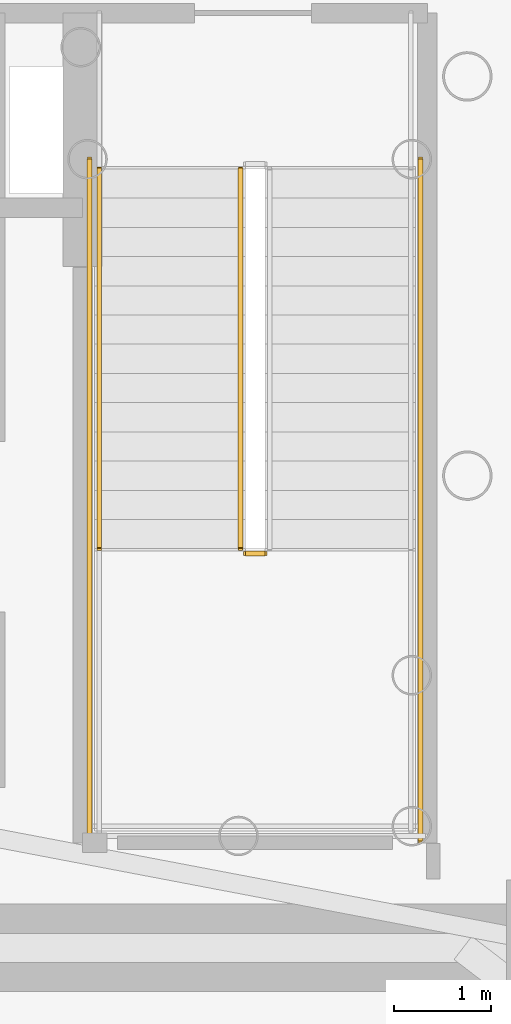
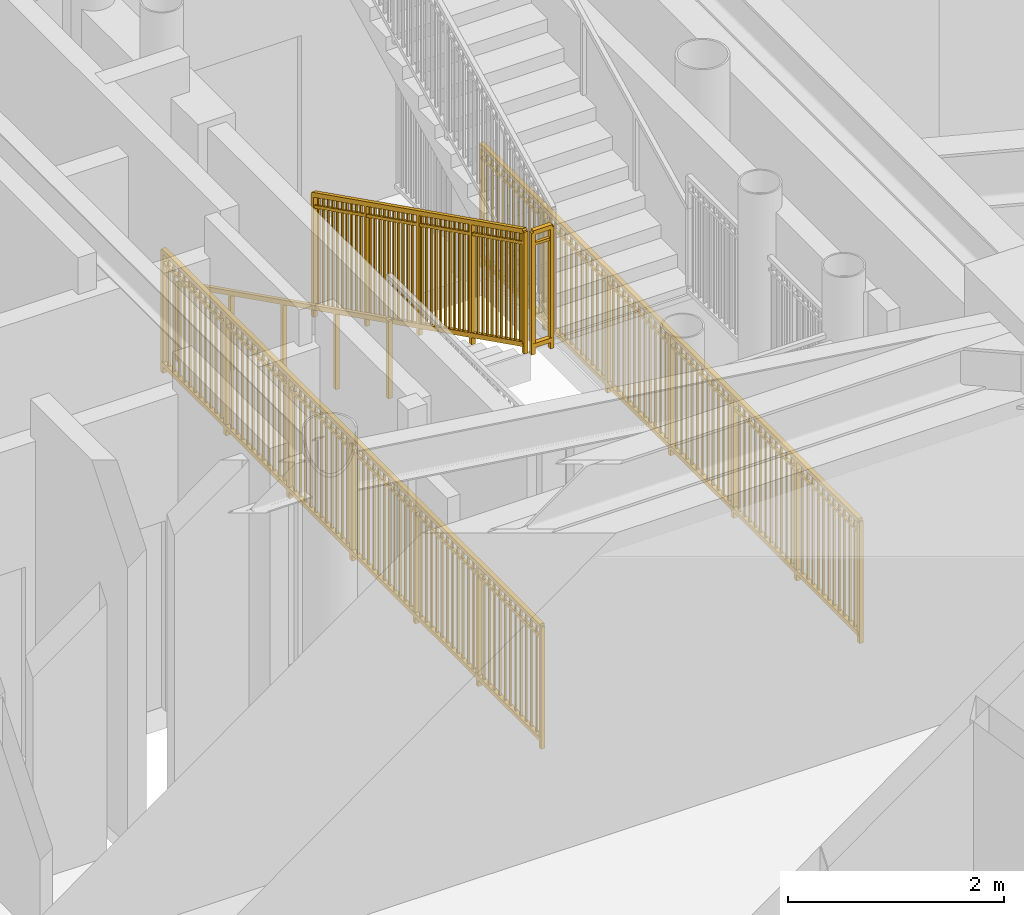
# One storey, part 22 of 24: 5 railings.
"""IFC4 building model written with IfcOpenShell, lengths in metres."""

from ifc_helpers import new_model, si_unit, direction, frame, origin, origin_2d, place, context, subcontext, project, spatial, rectangle, extrude, source, transform, mapped, material, type_object, element, save


model = new_model("IFC4")

# Units and contexts
model_context = context("Model", 3, precision=1e-05, world=origin(), true_north=direction((0.0, 1.0)))
body_context = subcontext(model_context, "Body", "Model", "MODEL_VIEW")
ifc_project = project(units=[si_unit("LENGTHUNIT", "METRE"), si_unit("AREAUNIT", "SQUARE_METRE"), si_unit("VOLUMEUNIT", "CUBIC_METRE"), si_unit("PLANEANGLEUNIT", "RADIAN"), si_unit("MASSUNIT", "GRAM", prefix="KILO")], contexts=[model_context])

# Site, building, storey
site_placement = place(None, origin())
site = spatial("IfcSite", under=ifc_project, at=site_placement, CompositionType="ELEMENT")
building_placement = place(site_placement, origin())
building = spatial("IfcBuilding", under=site, at=building_placement, Name="Linh Dai School and Residence Tower", CompositionType="ELEMENT")
storey_placement = place(building_placement, frame((0.0, 0.0, 70.199951171875)))
storey = spatial("IfcBuildingStorey", under=building, at=storey_placement, Name="L16", CompositionType="ELEMENT", Elevation=70.199951171875)

# Railings
ifc_material_1 = material(Name="Structural Steel S355JR", Category="steel")
railing_type_1 = type_object("IfcRailingType", Name="RL-ST-GUARD-1400", PredefinedType="GUARDRAIL", material=ifc_material_1)
shared_shape_1 = source(origin(), body_context, "Body", "SweptSolid", [
    extrude(rectangle(XDim=0.048095703125, YDim=0.048095703125, at=origin_2d()), frame((0.0, 0.0, 1.3759765625), z_axis=(1.0, 0.0, 0.0), x_axis=(0.0, 1.0, 0.0)), (0.0, 0.0, 1.0), 0.199951171875),
    extrude(rectangle(XDim=0.048095703125, YDim=0.048095703125, at=origin_2d()), frame((0.0, 0.0, 0.10009765625), z_axis=(1.0, 0.0, 0.0), x_axis=(0.0, 1.0, 0.0)), (0.0, 0.0, 1.0), 0.199951171875),
    extrude(rectangle(XDim=0.030029296875, YDim=0.030029296875, at=origin_2d()), frame((0.0, 0.0, 1.239990234375), z_axis=(1.0, 0.0, 0.0), x_axis=(0.0, 1.0, 0.0)), (0.0, 0.0, 1.0), 0.199951171875),
    extrude(rectangle(XDim=0.0419921875, YDim=0.0419921875, at=origin_2d()), origin(), (0.0, 0.0, 1.0), 1.3759765625),
    extrude(rectangle(XDim=0.0419921875, YDim=0.0419921875, at=origin_2d()), frame((0.199951171875, 0.0, 0.0)), (0.0, 0.0, 1.0), 1.3759765625),
])
railing_1_placement = place(storey_placement, frame((42.570068359375, 24.300048828125, 2.10009765625)))
element("IfcRailing", 1, at=railing_1_placement, inside=storey, type_object=railing_type_1, Name="L16 ST2 stair guard 2", PredefinedType="GUARDRAIL", context=body_context, shape_type="MappedRepresentation", body=[
    mapped(shared_shape_1, transform((0.0, 0.0, 0.0), x_axis=(1.0, 0.0, 0.0), y_axis=(0.0, 1.0, 0.0), z_axis=(0.0, 0.0, 1.0), scale=1.0)),
])
shared_shape_2 = source(origin(), body_context, "Body", "SweptSolid", [
    extrude(rectangle(XDim=0.048095703125, YDim=0.048095703125, at=origin_2d()), frame((0.0, 0.0, 1.3759765625), z_axis=(0.0, -1.0, 0.0), x_axis=(1.0, 0.0, 0.0)), (0.0, 0.0, 1.0), 7.0),
    extrude(rectangle(XDim=0.048095703125, YDim=0.048095703125, at=origin_2d()), frame((0.0, 0.0, 0.10009765625), z_axis=(0.0, -1.0, 0.0), x_axis=(1.0, 0.0, 0.0)), (0.0, 0.0, 1.0), 7.0),
    extrude(rectangle(XDim=0.030029296875, YDim=0.030029296875, at=origin_2d()), frame((0.0, 0.0, 1.239990234375), z_axis=(0.0, -1.0, 0.0), x_axis=(1.0, 0.0, 0.0)), (0.0, 0.0, 1.0), 7.0),
    extrude(rectangle(XDim=0.02001953125, YDim=0.02001953125, at=origin_2d()), frame((0.0, -0.09716796875, 0.10009765625)), (0.0, 0.0, 1.0), 1.251708984375),
    extrude(rectangle(XDim=0.02001953125, YDim=0.02001953125, at=origin_2d()), frame((0.0, -0.1943359375, 0.10009765625)), (0.0, 0.0, 1.0), 1.251708984375),
    extrude(rectangle(XDim=0.02001953125, YDim=0.02001953125, at=origin_2d()), frame((0.0, -0.291748046875, 0.10009765625)), (0.0, 0.0, 1.0), 1.251708984375),
    extrude(rectangle(XDim=0.02001953125, YDim=0.02001953125, at=origin_2d()), frame((0.0, -0.388916015625, 0.10009765625)), (0.0, 0.0, 1.0), 1.251708984375),
    extrude(rectangle(XDim=0.02001953125, YDim=0.02001953125, at=origin_2d()), frame((0.0, -0.486083984375, 0.10009765625)), (0.0, 0.0, 1.0), 1.251708984375),
    extrude(rectangle(XDim=0.02001953125, YDim=0.02001953125, at=origin_2d()), frame((0.0, -0.583251953125, 0.10009765625)), (0.0, 0.0, 1.0), 1.251708984375),
    extrude(rectangle(XDim=0.02001953125, YDim=0.02001953125, at=origin_2d()), frame((0.0, -0.6806640625, 0.10009765625)), (0.0, 0.0, 1.0), 1.251708984375),
    extrude(rectangle(XDim=0.02001953125, YDim=0.02001953125, at=origin_2d()), frame((0.0, -0.77783203125, 0.10009765625)), (0.0, 0.0, 1.0), 1.251708984375),
    extrude(rectangle(XDim=0.02001953125, YDim=0.02001953125, at=origin_2d()), frame((0.0, -0.875, 0.10009765625)), (0.0, 0.0, 1.0), 1.251708984375),
    extrude(rectangle(XDim=0.02001953125, YDim=0.02001953125, at=origin_2d()), frame((0.0, -0.97216796875, 0.10009765625)), (0.0, 0.0, 1.0), 1.251708984375),
    extrude(rectangle(XDim=0.02001953125, YDim=0.02001953125, at=origin_2d()), frame((0.0, -1.0693359375, 0.10009765625)), (0.0, 0.0, 1.0), 1.251708984375),
    extrude(rectangle(XDim=0.02001953125, YDim=0.02001953125, at=origin_2d()), frame((0.0, -1.263916015625, 0.10009765625)), (0.0, 0.0, 1.0), 1.251708984375),
    extrude(rectangle(XDim=0.02001953125, YDim=0.02001953125, at=origin_2d()), frame((0.0, -1.361083984375, 0.10009765625)), (0.0, 0.0, 1.0), 1.251708984375),
    extrude(rectangle(XDim=0.02001953125, YDim=0.02001953125, at=origin_2d()), frame((0.0, -1.458251953125, 0.10009765625)), (0.0, 0.0, 1.0), 1.251708984375),
    extrude(rectangle(XDim=0.02001953125, YDim=0.02001953125, at=origin_2d()), frame((0.0, -1.5556640625, 0.10009765625)), (0.0, 0.0, 1.0), 1.251708984375),
    extrude(rectangle(XDim=0.02001953125, YDim=0.02001953125, at=origin_2d()), frame((0.0, -1.65283203125, 0.10009765625)), (0.0, 0.0, 1.0), 1.251708984375),
    extrude(rectangle(XDim=0.02001953125, YDim=0.02001953125, at=origin_2d()), frame((0.0, -1.75, 0.10009765625)), (0.0, 0.0, 1.0), 1.251708984375),
    extrude(rectangle(XDim=0.02001953125, YDim=0.02001953125, at=origin_2d()), frame((0.0, -1.84716796875, 0.10009765625)), (0.0, 0.0, 1.0), 1.251708984375),
    extrude(rectangle(XDim=0.02001953125, YDim=0.02001953125, at=origin_2d()), frame((0.0, -1.9443359375, 0.10009765625)), (0.0, 0.0, 1.0), 1.251708984375),
    extrude(rectangle(XDim=0.02001953125, YDim=0.02001953125, at=origin_2d()), frame((0.0, -2.041748046875, 0.10009765625)), (0.0, 0.0, 1.0), 1.251708984375),
    extrude(rectangle(XDim=0.02001953125, YDim=0.02001953125, at=origin_2d()), frame((0.0, -2.138916015625, 0.10009765625)), (0.0, 0.0, 1.0), 1.251708984375),
    extrude(rectangle(XDim=0.02001953125, YDim=0.02001953125, at=origin_2d()), frame((0.0, -2.236083984375, 0.10009765625)), (0.0, 0.0, 1.0), 1.251708984375),
    extrude(rectangle(XDim=0.02001953125, YDim=0.02001953125, at=origin_2d()), frame((0.0, -2.4306640625, 0.10009765625)), (0.0, 0.0, 1.0), 1.251708984375),
    extrude(rectangle(XDim=0.02001953125, YDim=0.02001953125, at=origin_2d()), frame((0.0, -2.52783203125, 0.10009765625)), (0.0, 0.0, 1.0), 1.251708984375),
    extrude(rectangle(XDim=0.02001953125, YDim=0.02001953125, at=origin_2d()), frame((0.0, -2.625, 0.10009765625)), (0.0, 0.0, 1.0), 1.251708984375),
    extrude(rectangle(XDim=0.02001953125, YDim=0.02001953125, at=origin_2d()), frame((0.0, -2.72216796875, 0.10009765625)), (0.0, 0.0, 1.0), 1.251708984375),
    extrude(rectangle(XDim=0.02001953125, YDim=0.02001953125, at=origin_2d()), frame((0.0, -2.8193359375, 0.10009765625)), (0.0, 0.0, 1.0), 1.251708984375),
    extrude(rectangle(XDim=0.02001953125, YDim=0.02001953125, at=origin_2d()), frame((0.0, -2.916748046875, 0.10009765625)), (0.0, 0.0, 1.0), 1.251708984375),
    extrude(rectangle(XDim=0.02001953125, YDim=0.02001953125, at=origin_2d()), frame((0.0, -3.013916015625, 0.10009765625)), (0.0, 0.0, 1.0), 1.251708984375),
    extrude(rectangle(XDim=0.02001953125, YDim=0.02001953125, at=origin_2d()), frame((0.0, -3.111083984375, 0.10009765625)), (0.0, 0.0, 1.0), 1.251708984375),
    extrude(rectangle(XDim=0.02001953125, YDim=0.02001953125, at=origin_2d()), frame((0.0, -3.208251953125, 0.10009765625)), (0.0, 0.0, 1.0), 1.251708984375),
    extrude(rectangle(XDim=0.02001953125, YDim=0.02001953125, at=origin_2d()), frame((0.0, -3.3056640625, 0.10009765625)), (0.0, 0.0, 1.0), 1.251708984375),
    extrude(rectangle(XDim=0.02001953125, YDim=0.02001953125, at=origin_2d()), frame((0.0, -3.40283203125, 0.10009765625)), (0.0, 0.0, 1.0), 1.251708984375),
    extrude(rectangle(XDim=0.02001953125, YDim=0.02001953125, at=origin_2d()), frame((0.0, -3.59716796875, 0.10009765625)), (0.0, 0.0, 1.0), 1.251708984375),
    extrude(rectangle(XDim=0.02001953125, YDim=0.02001953125, at=origin_2d()), frame((0.0, -3.6943359375, 0.10009765625)), (0.0, 0.0, 1.0), 1.251708984375),
    extrude(rectangle(XDim=0.02001953125, YDim=0.02001953125, at=origin_2d()), frame((0.0, -3.791748046875, 0.10009765625)), (0.0, 0.0, 1.0), 1.251708984375),
    extrude(rectangle(XDim=0.02001953125, YDim=0.02001953125, at=origin_2d()), frame((0.0, -3.888916015625, 0.10009765625)), (0.0, 0.0, 1.0), 1.251708984375),
    extrude(rectangle(XDim=0.02001953125, YDim=0.02001953125, at=origin_2d()), frame((0.0, -3.986083984375, 0.10009765625)), (0.0, 0.0, 1.0), 1.251708984375),
    extrude(rectangle(XDim=0.02001953125, YDim=0.02001953125, at=origin_2d()), frame((0.0, -4.083251953125, 0.10009765625)), (0.0, 0.0, 1.0), 1.251708984375),
    extrude(rectangle(XDim=0.02001953125, YDim=0.02001953125, at=origin_2d()), frame((0.0, -4.1806640625, 0.10009765625)), (0.0, 0.0, 1.0), 1.251708984375),
    extrude(rectangle(XDim=0.02001953125, YDim=0.02001953125, at=origin_2d()), frame((0.0, -4.27783203125, 0.10009765625)), (0.0, 0.0, 1.0), 1.251708984375),
    extrude(rectangle(XDim=0.02001953125, YDim=0.02001953125, at=origin_2d()), frame((0.0, -4.375, 0.10009765625)), (0.0, 0.0, 1.0), 1.251708984375),
    extrude(rectangle(XDim=0.02001953125, YDim=0.02001953125, at=origin_2d()), frame((0.0, -4.47216796875, 0.10009765625)), (0.0, 0.0, 1.0), 1.251708984375),
    extrude(rectangle(XDim=0.02001953125, YDim=0.02001953125, at=origin_2d()), frame((0.0, -4.5693359375, 0.10009765625)), (0.0, 0.0, 1.0), 1.251708984375),
    extrude(rectangle(XDim=0.02001953125, YDim=0.02001953125, at=origin_2d()), frame((0.0, -4.763916015625, 0.10009765625)), (0.0, 0.0, 1.0), 1.251708984375),
    extrude(rectangle(XDim=0.02001953125, YDim=0.02001953125, at=origin_2d()), frame((0.0, -4.861083984375, 0.10009765625)), (0.0, 0.0, 1.0), 1.251708984375),
    extrude(rectangle(XDim=0.02001953125, YDim=0.02001953125, at=origin_2d()), frame((0.0, -4.958251953125, 0.10009765625)), (0.0, 0.0, 1.0), 1.251708984375),
    extrude(rectangle(XDim=0.02001953125, YDim=0.02001953125, at=origin_2d()), frame((0.0, -5.0556640625, 0.10009765625)), (0.0, 0.0, 1.0), 1.251708984375),
    extrude(rectangle(XDim=0.02001953125, YDim=0.02001953125, at=origin_2d()), frame((0.0, -5.15283203125, 0.10009765625)), (0.0, 0.0, 1.0), 1.251708984375),
    extrude(rectangle(XDim=0.02001953125, YDim=0.02001953125, at=origin_2d()), frame((0.0, -5.25, 0.10009765625)), (0.0, 0.0, 1.0), 1.251708984375),
    extrude(rectangle(XDim=0.02001953125, YDim=0.02001953125, at=origin_2d()), frame((0.0, -5.34716796875, 0.10009765625)), (0.0, 0.0, 1.0), 1.251708984375),
    extrude(rectangle(XDim=0.02001953125, YDim=0.02001953125, at=origin_2d()), frame((0.0, -5.4443359375, 0.10009765625)), (0.0, 0.0, 1.0), 1.251708984375),
    extrude(rectangle(XDim=0.02001953125, YDim=0.02001953125, at=origin_2d()), frame((0.0, -5.541748046875, 0.10009765625)), (0.0, 0.0, 1.0), 1.251708984375),
    extrude(rectangle(XDim=0.02001953125, YDim=0.02001953125, at=origin_2d()), frame((0.0, -5.638916015625, 0.10009765625)), (0.0, 0.0, 1.0), 1.251708984375),
    extrude(rectangle(XDim=0.02001953125, YDim=0.02001953125, at=origin_2d()), frame((0.0, -5.736083984375, 0.10009765625)), (0.0, 0.0, 1.0), 1.251708984375),
    extrude(rectangle(XDim=0.02001953125, YDim=0.02001953125, at=origin_2d()), frame((0.0, -5.9306640625, 0.10009765625)), (0.0, 0.0, 1.0), 1.251708984375),
    extrude(rectangle(XDim=0.02001953125, YDim=0.02001953125, at=origin_2d()), frame((0.0, -6.02783203125, 0.10009765625)), (0.0, 0.0, 1.0), 1.251708984375),
    extrude(rectangle(XDim=0.02001953125, YDim=0.02001953125, at=origin_2d()), frame((0.0, -6.125, 0.10009765625)), (0.0, 0.0, 1.0), 1.251708984375),
    extrude(rectangle(XDim=0.02001953125, YDim=0.02001953125, at=origin_2d()), frame((0.0, -6.22216796875, 0.10009765625)), (0.0, 0.0, 1.0), 1.251708984375),
    extrude(rectangle(XDim=0.02001953125, YDim=0.02001953125, at=origin_2d()), frame((0.0, -6.3193359375, 0.10009765625)), (0.0, 0.0, 1.0), 1.251708984375),
    extrude(rectangle(XDim=0.02001953125, YDim=0.02001953125, at=origin_2d()), frame((0.0, -6.416748046875, 0.10009765625)), (0.0, 0.0, 1.0), 1.251708984375),
    extrude(rectangle(XDim=0.02001953125, YDim=0.02001953125, at=origin_2d()), frame((0.0, -6.513916015625, 0.10009765625)), (0.0, 0.0, 1.0), 1.251708984375),
    extrude(rectangle(XDim=0.02001953125, YDim=0.02001953125, at=origin_2d()), frame((0.0, -6.611083984375, 0.10009765625)), (0.0, 0.0, 1.0), 1.251708984375),
    extrude(rectangle(XDim=0.02001953125, YDim=0.02001953125, at=origin_2d()), frame((0.0, -6.708251953125, 0.10009765625)), (0.0, 0.0, 1.0), 1.251708984375),
    extrude(rectangle(XDim=0.02001953125, YDim=0.02001953125, at=origin_2d()), frame((0.0, -6.8056640625, 0.10009765625)), (0.0, 0.0, 1.0), 1.251708984375),
    extrude(rectangle(XDim=0.02001953125, YDim=0.02001953125, at=origin_2d()), frame((0.0, -6.90283203125, 0.10009765625)), (0.0, 0.0, 1.0), 1.251708984375),
    extrude(rectangle(XDim=0.0419921875, YDim=0.0419921875, at=origin_2d()), origin(), (0.0, 0.0, 1.0), 1.3759765625),
    extrude(rectangle(XDim=0.0419921875, YDim=0.0419921875, at=origin_2d()), frame((0.0, -1.166748046875, 0.0)), (0.0, 0.0, 1.0), 1.3759765625),
    extrude(rectangle(XDim=0.0419921875, YDim=0.0419921875, at=origin_2d()), frame((0.0, -2.333251953125, 0.0)), (0.0, 0.0, 1.0), 1.3759765625),
    extrude(rectangle(XDim=0.0419921875, YDim=0.0419921875, at=origin_2d()), frame((0.0, -3.5, 0.0)), (0.0, 0.0, 1.0), 1.3759765625),
    extrude(rectangle(XDim=0.0419921875, YDim=0.0419921875, at=origin_2d()), frame((0.0, -4.666748046875, 0.0)), (0.0, 0.0, 1.0), 1.3759765625),
    extrude(rectangle(XDim=0.0419921875, YDim=0.0419921875, at=origin_2d()), frame((0.0, -5.833251953125, 0.0)), (0.0, 0.0, 1.0), 1.3759765625),
    extrude(rectangle(XDim=0.0419921875, YDim=0.0419921875, at=origin_2d()), frame((0.0, -7.0, 0.0)), (0.0, 0.0, 1.0), 1.3759765625),
])
for number, where, name in (
    (2, (40.969970703125, 28.35009765625, 0.0), "L16 ST2 stair guard 10"),
    (3, (44.3701171875, 28.35009765625, 0.0), "L16 ST2 stair guard 11"),
):
    element("IfcRailing", number, at=place(storey_placement, frame(where)), inside=storey, type_object=railing_type_1, Name=name, PredefinedType="GUARDRAIL", context=body_context, shape_type="MappedRepresentation", body=[
        mapped(shared_shape_2, transform((0.0, 0.0, 0.0), x_axis=(1.0, 0.0, 0.0), y_axis=(0.0, 1.0, 0.0), z_axis=(0.0, 0.0, 1.0), scale=1.0)),
    ])
shared_shape_3 = source(origin(), body_context, "Body", "SweptSolid", [
    extrude(rectangle(XDim=0.048095703125, YDim=0.048095703125, at=origin_2d()), frame((0.0, 0.0, 1.3759765625), z_axis=(0.0, -0.894427191, 0.4472135955), x_axis=(1.0, 0.0, 0.0)), (0.0, 0.0, 1.0), 4.360107421875),
    extrude(rectangle(XDim=0.048095703125, YDim=0.048095703125, at=origin_2d()), frame((0.0, 0.0, 0.10009765625), z_axis=(0.0, -0.894427191, 0.4472135955), x_axis=(1.0, 0.0, 0.0)), (0.0, 0.0, 1.0), 4.360107421875),
    extrude(rectangle(XDim=0.030029296875, YDim=0.030029296875, at=origin_2d()), frame((0.0, 0.0, 1.239990234375), z_axis=(0.0, -0.894427191, 0.4472135955), x_axis=(1.0, 0.0, 0.0)), (0.0, 0.0, 1.0), 4.360107421875),
    extrude(rectangle(XDim=0.02001953125, YDim=0.02001953125, at=origin_2d()), frame((0.0, -0.086669921875, 0.143310546875)), (0.0, 0.0, 1.0), 1.251708984375),
    extrude(rectangle(XDim=0.02001953125, YDim=0.02001953125, at=origin_2d()), frame((0.0, -0.17333984375, 0.186767578125)), (0.0, 0.0, 1.0), 1.251708984375),
    extrude(rectangle(XDim=0.02001953125, YDim=0.02001953125, at=origin_2d()), frame((0.0, -0.260009765625, 0.22998046875)), (0.0, 0.0, 1.0), 1.251708984375),
    extrude(rectangle(XDim=0.02001953125, YDim=0.02001953125, at=origin_2d()), frame((0.0, -0.3466796875, 0.2734375)), (0.0, 0.0, 1.0), 1.251708984375),
    extrude(rectangle(XDim=0.02001953125, YDim=0.02001953125, at=origin_2d()), frame((0.0, -0.433349609375, 0.316650390625)), (0.0, 0.0, 1.0), 1.251708984375),
    extrude(rectangle(XDim=0.02001953125, YDim=0.02001953125, at=origin_2d()), frame((0.0, -0.52001953125, 0.360107421875)), (0.0, 0.0, 1.0), 1.251708984375),
    extrude(rectangle(XDim=0.02001953125, YDim=0.02001953125, at=origin_2d()), frame((0.0, -0.606689453125, 0.4033203125)), (0.0, 0.0, 1.0), 1.251708984375),
    extrude(rectangle(XDim=0.02001953125, YDim=0.02001953125, at=origin_2d()), frame((0.0, -0.693359375, 0.44677734375)), (0.0, 0.0, 1.0), 1.251708984375),
    extrude(rectangle(XDim=0.02001953125, YDim=0.02001953125, at=origin_2d()), frame((0.0, -0.780029296875, 0.489990234375)), (0.0, 0.0, 1.0), 1.251708984375),
    extrude(rectangle(XDim=0.02001953125, YDim=0.02001953125, at=origin_2d()), frame((0.0, -0.86669921875, 0.533447265625)), (0.0, 0.0, 1.0), 1.251708984375),
    extrude(rectangle(XDim=0.02001953125, YDim=0.02001953125, at=origin_2d()), frame((0.0, -1.0400390625, 0.6201171875)), (0.0, 0.0, 1.0), 1.251708984375),
    extrude(rectangle(XDim=0.02001953125, YDim=0.02001953125, at=origin_2d()), frame((0.0, -1.126708984375, 0.663330078125)), (0.0, 0.0, 1.0), 1.251708984375),
    extrude(rectangle(XDim=0.02001953125, YDim=0.02001953125, at=origin_2d()), frame((0.0, -1.21337890625, 0.706787109375)), (0.0, 0.0, 1.0), 1.251708984375),
    extrude(rectangle(XDim=0.02001953125, YDim=0.02001953125, at=origin_2d()), frame((0.0, -1.300048828125, 0.75)), (0.0, 0.0, 1.0), 1.251708984375),
    extrude(rectangle(XDim=0.02001953125, YDim=0.02001953125, at=origin_2d()), frame((0.0, -1.38671875, 0.79345703125)), (0.0, 0.0, 1.0), 1.251708984375),
    extrude(rectangle(XDim=0.02001953125, YDim=0.02001953125, at=origin_2d()), frame((0.0, -1.473388671875, 0.836669921875)), (0.0, 0.0, 1.0), 1.251708984375),
    extrude(rectangle(XDim=0.02001953125, YDim=0.02001953125, at=origin_2d()), frame((0.0, -1.56005859375, 0.880126953125)), (0.0, 0.0, 1.0), 1.251708984375),
    extrude(rectangle(XDim=0.02001953125, YDim=0.02001953125, at=origin_2d()), frame((0.0, -1.646728515625, 0.92333984375)), (0.0, 0.0, 1.0), 1.251708984375),
    extrude(rectangle(XDim=0.02001953125, YDim=0.02001953125, at=origin_2d()), frame((0.0, -1.7333984375, 0.966796875)), (0.0, 0.0, 1.0), 1.251708984375),
    extrude(rectangle(XDim=0.02001953125, YDim=0.02001953125, at=origin_2d()), frame((0.0, -1.820068359375, 1.010009765625)), (0.0, 0.0, 1.0), 1.251708984375),
    extrude(rectangle(XDim=0.02001953125, YDim=0.02001953125, at=origin_2d()), frame((0.0, -1.90673828125, 1.053466796875)), (0.0, 0.0, 1.0), 1.251708984375),
    extrude(rectangle(XDim=0.02001953125, YDim=0.02001953125, at=origin_2d()), frame((0.0, -1.9931640625, 1.0966796875)), (0.0, 0.0, 1.0), 1.251708984375),
    extrude(rectangle(XDim=0.02001953125, YDim=0.02001953125, at=origin_2d()), frame((0.0, -2.079833984375, 1.14013671875)), (0.0, 0.0, 1.0), 1.251708984375),
    extrude(rectangle(XDim=0.02001953125, YDim=0.02001953125, at=origin_2d()), frame((0.0, -2.16650390625, 1.183349609375)), (0.0, 0.0, 1.0), 1.251708984375),
    extrude(rectangle(XDim=0.02001953125, YDim=0.02001953125, at=origin_2d()), frame((0.0, -2.253173828125, 1.226806640625)), (0.0, 0.0, 1.0), 1.251708984375),
    extrude(rectangle(XDim=0.02001953125, YDim=0.02001953125, at=origin_2d()), frame((0.0, -2.33984375, 1.27001953125)), (0.0, 0.0, 1.0), 1.251708984375),
    extrude(rectangle(XDim=0.02001953125, YDim=0.02001953125, at=origin_2d()), frame((0.0, -2.426513671875, 1.3134765625)), (0.0, 0.0, 1.0), 1.251708984375),
    extrude(rectangle(XDim=0.02001953125, YDim=0.02001953125, at=origin_2d()), frame((0.0, -2.51318359375, 1.356689453125)), (0.0, 0.0, 1.0), 1.251708984375),
    extrude(rectangle(XDim=0.02001953125, YDim=0.02001953125, at=origin_2d()), frame((0.0, -2.599853515625, 1.400146484375)), (0.0, 0.0, 1.0), 1.251708984375),
    extrude(rectangle(XDim=0.02001953125, YDim=0.02001953125, at=origin_2d()), frame((0.0, -2.6865234375, 1.443359375)), (0.0, 0.0, 1.0), 1.251708984375),
    extrude(rectangle(XDim=0.02001953125, YDim=0.02001953125, at=origin_2d()), frame((0.0, -2.773193359375, 1.48681640625)), (0.0, 0.0, 1.0), 1.251708984375),
    extrude(rectangle(XDim=0.02001953125, YDim=0.02001953125, at=origin_2d()), frame((0.0, -2.85986328125, 1.530029296875)), (0.0, 0.0, 1.0), 1.251708984375),
    extrude(rectangle(XDim=0.02001953125, YDim=0.02001953125, at=origin_2d()), frame((0.0, -3.033203125, 1.61669921875)), (0.0, 0.0, 1.0), 1.251708984375),
    extrude(rectangle(XDim=0.02001953125, YDim=0.02001953125, at=origin_2d()), frame((0.0, -3.119873046875, 1.66015625)), (0.0, 0.0, 1.0), 1.251708984375),
    extrude(rectangle(XDim=0.02001953125, YDim=0.02001953125, at=origin_2d()), frame((0.0, -3.20654296875, 1.703369140625)), (0.0, 0.0, 1.0), 1.251708984375),
    extrude(rectangle(XDim=0.02001953125, YDim=0.02001953125, at=origin_2d()), frame((0.0, -3.293212890625, 1.746826171875)), (0.0, 0.0, 1.0), 1.251708984375),
    extrude(rectangle(XDim=0.02001953125, YDim=0.02001953125, at=origin_2d()), frame((0.0, -3.3798828125, 1.7900390625)), (0.0, 0.0, 1.0), 1.251708984375),
    extrude(rectangle(XDim=0.02001953125, YDim=0.02001953125, at=origin_2d()), frame((0.0, -3.466552734375, 1.83349609375)), (0.0, 0.0, 1.0), 1.251708984375),
    extrude(rectangle(XDim=0.02001953125, YDim=0.02001953125, at=origin_2d()), frame((0.0, -3.55322265625, 1.876708984375)), (0.0, 0.0, 1.0), 1.251708984375),
    extrude(rectangle(XDim=0.02001953125, YDim=0.02001953125, at=origin_2d()), frame((0.0, -3.639892578125, 1.920166015625)), (0.0, 0.0, 1.0), 1.251708984375),
    extrude(rectangle(XDim=0.02001953125, YDim=0.02001953125, at=origin_2d()), frame((0.0, -3.7265625, 1.96337890625)), (0.0, 0.0, 1.0), 1.251708984375),
    extrude(rectangle(XDim=0.02001953125, YDim=0.02001953125, at=origin_2d()), frame((0.0, -3.813232421875, 2.0068359375)), (0.0, 0.0, 1.0), 1.251708984375),
    extrude(rectangle(XDim=0.0419921875, YDim=0.0419921875, at=origin_2d()), origin(), (0.0, 0.0, 1.0), 1.3759765625),
    extrude(rectangle(XDim=0.0419921875, YDim=0.0419921875, at=origin_2d()), frame((0.0, -0.97509765625, 0.487548828125)), (0.0, 0.0, 1.0), 1.3759765625),
    extrude(rectangle(XDim=0.0419921875, YDim=0.0419921875, at=origin_2d()), frame((0.0, -1.949951171875, 0.97509765625)), (0.0, 0.0, 1.0), 1.3759765625),
    extrude(rectangle(XDim=0.0419921875, YDim=0.0419921875, at=origin_2d()), frame((0.0, -2.9248046875, 1.46240234375)), (0.0, 0.0, 1.0), 1.3759765625),
    extrude(rectangle(XDim=0.0419921875, YDim=0.0419921875, at=origin_2d()), frame((0.0, -3.89990234375, 1.949951171875)), (0.0, 0.0, 1.0), 1.3759765625),
])
railing_2_placement = place(storey_placement, frame((42.52001953125, 28.25, 0.150146484375)))
element("IfcRailing", 4, at=railing_2_placement, inside=storey, type_object=railing_type_1, Name="L16 ST2 stair guard 1", PredefinedType="GUARDRAIL", context=body_context, shape_type="MappedRepresentation", body=[
    mapped(shared_shape_3, transform((0.0, 0.0, 0.0), x_axis=(1.0, 0.0, 0.0), y_axis=(0.0, 1.0, 0.0), z_axis=(0.0, 0.0, 1.0), scale=1.0)),
])
ifc_material_2 = material(Name="Brushed Stainless Steel Handrail", Category="steel")
railing_type_2 = type_object("IfcRailingType", Name="RL-ST-HANDRAIL-900", PredefinedType="HANDRAIL", material=ifc_material_2)
shared_shape_4 = source(origin(), body_context, "Body", "SweptSolid", [
    extrude(rectangle(XDim=0.048095703125, YDim=0.048095703125, at=origin_2d()), frame((0.0, 0.0, 0.8759765625), z_axis=(0.0, -0.894427191, 0.4472135955), x_axis=(1.0, 0.0, 0.0)), (0.0, 0.0, 1.0), 4.360107421875),
    extrude(rectangle(XDim=0.0419921875, YDim=0.0419921875, at=origin_2d()), origin(), (0.0, 0.0, 1.0), 0.8759765625),
    extrude(rectangle(XDim=0.0419921875, YDim=0.0419921875, at=origin_2d()), frame((0.0, -0.97509765625, 0.487548828125)), (0.0, 0.0, 1.0), 0.8759765625),
    extrude(rectangle(XDim=0.0419921875, YDim=0.0419921875, at=origin_2d()), frame((0.0, -1.949951171875, 0.97509765625)), (0.0, 0.0, 1.0), 0.8759765625),
    extrude(rectangle(XDim=0.0419921875, YDim=0.0419921875, at=origin_2d()), frame((0.0, -2.9248046875, 1.46240234375)), (0.0, 0.0, 1.0), 0.8759765625),
    extrude(rectangle(XDim=0.0419921875, YDim=0.0419921875, at=origin_2d()), frame((0.0, -3.89990234375, 1.949951171875)), (0.0, 0.0, 1.0), 0.8759765625),
])
railing_3_placement = place(storey_placement, frame((41.070068359375, 28.25, 0.150146484375)))
element("IfcRailing", 5, at=railing_3_placement, inside=storey, type_object=railing_type_2, Name="L16 ST2 stair handrail 1", PredefinedType="HANDRAIL", context=body_context, shape_type="MappedRepresentation", body=[
    mapped(shared_shape_4, transform((0.0, 0.0, 0.0), x_axis=(1.0, 0.0, 0.0), y_axis=(0.0, 1.0, 0.0), z_axis=(0.0, 0.0, 1.0), scale=1.0)),
])

save(model, "model.ifc")
